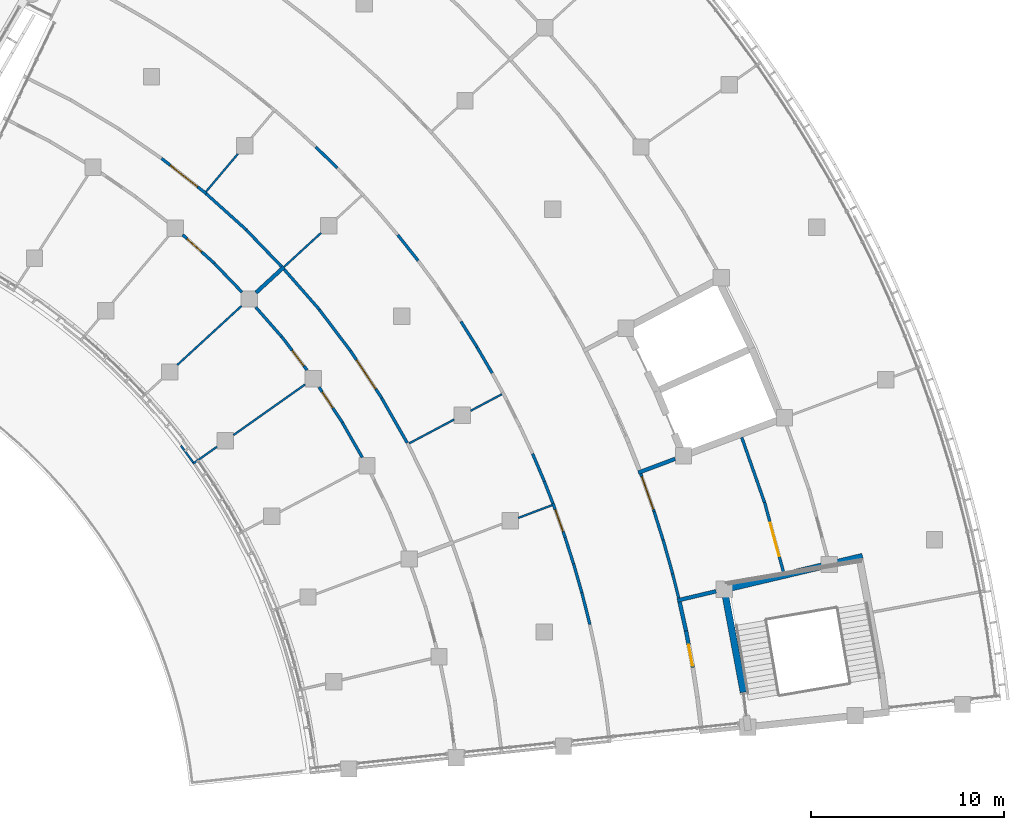
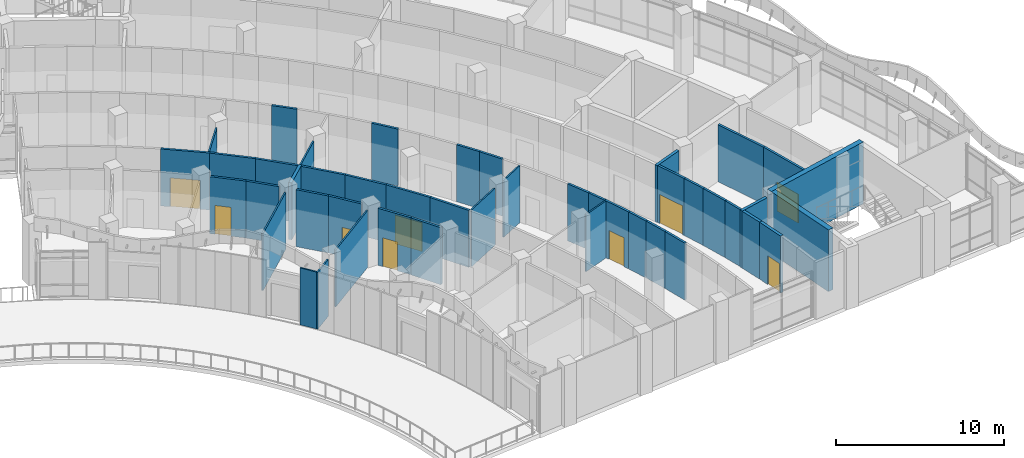
# One storey, part 77 of 136: 45 walls, 9 doors, 9 openings.
"""IFC4 building model written with IfcOpenShell, lengths in metres."""

from ifc_helpers import new_model, si_unit, direction, frame, frame_2d, origin, place, context, subcontext, project, spatial, rectangle, extrude, material, layer, layer_set, type_object, element, fill, save


model = new_model("IFC4")

# Units and contexts
model_context = context("Model", 3, precision=1e-05, world=origin(), true_north=direction((0.0, 1.0)))
body_context = subcontext(model_context, "Body", "Model", "MODEL_VIEW")
ifc_project = project(units=[si_unit("LENGTHUNIT", "METRE"), si_unit("AREAUNIT", "SQUARE_METRE"), si_unit("VOLUMEUNIT", "CUBIC_METRE"), si_unit("PLANEANGLEUNIT", "RADIAN"), si_unit("MASSUNIT", "GRAM", prefix="KILO")], contexts=[model_context])

# Site, building, storey
site_placement = place(None, origin())
site = spatial("IfcSite", under=ifc_project, at=site_placement, CompositionType="ELEMENT")
building_placement = place(site_placement, origin())
building = spatial("IfcBuilding", under=site, at=building_placement, Name="Bougainvillea Quay General Hospital", CompositionType="ELEMENT")
storey_placement = place(building_placement, frame((0.0, 0.0, 5.39990234375)))
storey = spatial("IfcBuildingStorey", under=building, at=storey_placement, Name="L01", CompositionType="ELEMENT", Elevation=5.39990234375)

# Walls
ifc_material_1 = material(Name="Gypsum board partition on steel studs", Category="steel")
ifc_layer_1 = layer(ifc_material_1, 0.10009765625)
ifc_layer_set_1 = layer_set([ifc_layer_1], Name="Gypsum board partition on steel studs")
wall_type_1 = type_object("IfcWallType", Name="Partition 100 Gypsum board partition EI 30", PredefinedType="PARTITIONING", material=ifc_layer_set_1)
wall_1_placement = place(storey_placement, frame((136.92431640625, 41.59521484375, 0.0), z_axis=(0.0, 0.0, 1.0), x_axis=(0.816643847366, 0.577141946629, 0.0)))
element("IfcWall", 1, at=wall_1_placement, inside=storey, type_object=wall_type_1, Name="Partition 100 mm EI 30", PredefinedType="PARTITIONING", context=body_context, shape_type="SweptSolid", body=[
    extrude(rectangle(XDim=1.52490234375, YDim=0.10009765625, at=frame_2d((0.762451171875, 0.0))), origin(), (0.0, 0.0, 1.0), 4.150146484375),
])
wall_2_placement = place(storey_placement, frame((139.0263671875, 43.080810546875, 0.0), z_axis=(0.0, 0.0, 1.0), x_axis=(0.816637661001, 0.577150700108, 0.0)))
element("IfcWall", 2, at=wall_2_placement, inside=storey, type_object=wall_type_1, Name="Partition 100 mm EI 30", PredefinedType="PARTITIONING", context=body_context, shape_type="SweptSolid", body=[
    extrude(rectangle(XDim=4.55078125, YDim=0.10009765625, at=frame_2d((2.275390625, 0.0))), origin(), (0.0, 0.0, 1.0), 4.150146484375),
])
wall_3_placement = place(storey_placement, frame((136.111328125, 46.71484375, 0.0), z_axis=(0.0, 0.0, 1.0), x_axis=(0.736475017651, 0.676464742892, 0.0)))
element("IfcWall", 3, at=wall_3_placement, inside=storey, type_object=wall_type_1, Name="Partition 100 mm EI 30", PredefinedType="PARTITIONING", context=body_context, shape_type="SweptSolid", body=[
    extrude(rectangle(XDim=4.52392578125, YDim=0.10009765625, at=frame_2d((2.261962890625, 0.0))), origin(), (0.0, 0.0, 1.0), 4.150146484375),
])
wall_4_placement = place(storey_placement, frame((153.791259765625, 38.78515625, 0.0), z_axis=(0.0, 0.0, 1.0), x_axis=(0.935884008534, 0.35230827775, 0.0)))
element("IfcWall", 4, at=wall_4_placement, inside=storey, type_object=wall_type_1, Name="Partition 100 mm EI 30", PredefinedType="PARTITIONING", context=body_context, shape_type="SweptSolid", body=[
    extrude(rectangle(XDim=1.873779296875, YDim=0.10009765625, at=frame_2d((0.93701171875, 0.0))), origin(), (0.0, 0.0, 1.0), 4.150146484375),
])
wall_5_placement = place(storey_placement, frame((141.64501953125, 51.797607421875, 0.0), z_axis=(0.0, 0.0, 1.0), x_axis=(0.73658314114, 0.676347008709, 0.0)))
element("IfcWall", 5, at=wall_5_placement, inside=storey, type_object=wall_type_1, Name="Partition 100 mm EI 30", PredefinedType="PARTITIONING", context=body_context, shape_type="SweptSolid", body=[
    extrude(rectangle(XDim=2.610107421875, YDim=0.10009765625, at=frame_2d((1.30517578125, 0.0))), origin(), (0.0, 0.0, 1.0), 4.150146484375),
])
wall_6_placement = place(storey_placement, frame((148.138671875, 42.65185546875, 0.0), z_axis=(0.0, 0.0, 1.0), x_axis=(0.883500310686, 0.468430572249, 0.0)))
element("IfcWall", 6, at=wall_6_placement, inside=storey, type_object=wall_type_1, Name="Partition 100 mm EI 30", PredefinedType="PARTITIONING", context=body_context, shape_type="SweptSolid", body=[
    extrude(rectangle(XDim=2.64453125, YDim=0.10009765625, at=frame_2d((1.322265625, 0.0))), origin(), (0.0, 0.0, 1.0), 4.150146484375),
])
wall_7_placement = place(storey_placement, frame((151.321044921875, 44.33935546875, 0.0), z_axis=(0.0, 0.0, 1.0), x_axis=(0.883507022745, 0.46841791251, 0.0)))
element("IfcWall", 7, at=wall_7_placement, inside=storey, type_object=wall_type_1, Name="Partition 100 mm EI 30", PredefinedType="PARTITIONING", context=body_context, shape_type="SweptSolid", body=[
    extrude(rectangle(XDim=1.84033203125, YDim=0.10009765625, at=frame_2d((0.920166015625, 0.0))), origin(), (0.0, 0.0, 1.0), 4.150146484375),
])
wall_8_placement = place(storey_placement, frame((137.60546875, 55.70361328125, 0.0), z_axis=(0.0, 0.0, 1.0), x_axis=(0.644432238292, 0.764661421971, 0.0)))
element("IfcWall", 8, at=wall_8_placement, inside=storey, type_object=wall_type_1, Name="Partition 100 mm EI 30", PredefinedType="PARTITIONING", context=body_context, shape_type="SweptSolid", body=[
    extrude(rectangle(XDim=2.560546875, YDim=0.10009765625, at=frame_2d((1.2802734375, 0.0))), origin(), (0.0, 0.0, 1.0), 4.150146484375),
])
wall_9_placement = place(storey_placement, frame((136.30615234375, 42.525634765625, 0.0), z_axis=(0.0, 0.0, 1.0), x_axis=(0.590022332041, -0.807386925639, 0.0)))
element("IfcWall", 9, at=wall_9_placement, inside=storey, type_object=wall_type_1, Name="Partition 100 mm EI 30", PredefinedType="PARTITIONING", context=body_context, shape_type="SweptSolid", body=[
    extrude(rectangle(XDim=1.06591796875, YDim=0.10009765625, at=frame_2d((0.532958984375, 0.0))), origin(), (0.0, 0.0, 1.0), 4.150146484375),
])

# Wall, opening, door
ifc_material_2 = material(Name="Gypsum board partition on steel studs, insulated", Category="steel")
ifc_layer_2 = layer(ifc_material_2, 0.14990234375)
ifc_layer_set_2 = layer_set([ifc_layer_2], Name="Gypsum board partition on steel studs, insulated")
wall_type_2 = type_object("IfcWallType", Name="Partition 150 Gypsum board partition EI 30", PredefinedType="PARTITIONING", material=ifc_layer_set_2)
wall_10_placement = place(storey_placement, frame((166.5673828125, 39.58642578125, 0.0), z_axis=(0.0, 0.0, 1.0), x_axis=(0.261225938755, -0.965277684877, 0.0)))
wall_10 = element("IfcWall", 10, at=wall_10_placement, inside=storey, type_object=wall_type_2, Name="Partition 150 mm EI 30", PredefinedType="PARTITIONING", context=body_context, shape_type="SweptSolid", body=[
    extrude(rectangle(XDim=3.725341796875, YDim=0.14990234375, at=frame_2d((1.86279296875, 0.0))), origin(), (0.0, 0.0, 1.0), 4.150146484375),
])
opening_1_placement = place(wall_10_placement, frame((1.089111328125, 0.0, 0.0)))
opening_1 = element("IfcOpeningElement", 11, at=opening_1_placement, cuts=wall_10, Name="Opening L01.231", PredefinedType="OPENING", context=body_context, shape_type="SweptSolid", body=[
    extrude(rectangle(XDim=1.800048828125, YDim=2.10009765625, at=frame_2d((0.89990234375, 1.050048828125))), frame((0.0, 0.0849609375, 0.0), z_axis=(0.0, -1.0, 0.0), x_axis=(1.0, 0.0, 0.0)), (0.0, 0.0, 1.0), 0.169921875),
])
ifc_material_3 = material(Name="Solid-core timber door leaves in steel frame", Category="steel")
door_type_1 = type_object("IfcDoorType", Name="Double leaf door 1800x2100", OperationType="DOUBLE_DOOR_SINGLE_SWING", PredefinedType="DOOR", material=ifc_material_3)
door_1_placement = place(opening_1_placement, origin())
door_1 = element("IfcDoor", 12, at=door_1_placement, inside=storey, type_object=door_type_1, Name="DT08 L01.231", OperationType="DOUBLE_DOOR_SINGLE_SWING", OverallHeight=2.10009765625, OverallWidth=1.800048828125, PredefinedType="DOOR", context=body_context, shape_type="SweptSolid", body=[
    extrude(rectangle(XDim=1.800048828125, YDim=2.10009765625, at=frame_2d((0.89990234375, 1.050048828125))), frame((0.0, 0.02490234375, 0.0), z_axis=(0.0, -1.0, 0.0), x_axis=(1.0, 0.0, 0.0)), (0.0, 0.0, 1.0), 0.050048828125),
])
fill(opening_1, door_1)

# Wall
wall_11_placement = place(storey_placement, frame((165.38037109375, 42.959716796875, 0.0), z_axis=(0.0, 0.0, 1.0), x_axis=(0.330508329073, -0.943803075018, 0.0)))
element("IfcWall", 13, at=wall_11_placement, inside=storey, type_object=wall_type_2, Name="Partition 150 mm EI 30", PredefinedType="PARTITIONING", context=body_context, shape_type="SweptSolid", body=[
    extrude(rectangle(XDim=3.5810546875, YDim=0.14990234375, at=frame_2d((1.79052734375, 0.0))), origin(), (0.0, 0.0, 1.0), 4.150146484375),
])

# Wall, opening, door
wall_12_placement = place(storey_placement, frame((145.089599609375, 47.45849609375, 0.0), z_axis=(0.0, 0.0, 1.0), x_axis=(0.551018151494, -0.834493257447, 0.0)))
wall_12 = element("IfcWall", 14, at=wall_12_placement, inside=storey, type_object=wall_type_2, Name="Partition 150 mm EI 30", PredefinedType="PARTITIONING", context=body_context, shape_type="SweptSolid", body=[
    extrude(rectangle(XDim=2.95751953125, YDim=0.14990234375, at=frame_2d((1.478759765625, 0.0))), origin(), (0.0, 0.0, 1.0), 4.150146484375),
])
opening_2_placement = place(wall_12_placement, frame((0.578857421875, 0.0, 0.0)))
opening_2 = element("IfcOpeningElement", 15, at=opening_2_placement, cuts=wall_12, Name="Opening L01.233", PredefinedType="OPENING", context=body_context, shape_type="SweptSolid", body=[
    extrude(rectangle(XDim=1.800048828125, YDim=2.10009765625, at=frame_2d((0.89990234375, 1.050048828125))), frame((0.0, 0.0849609375, 0.0), z_axis=(0.0, -1.0, 0.0), x_axis=(1.0, 0.0, 0.0)), (0.0, 0.0, 1.0), 0.169921875),
])
door_2_placement = place(opening_2_placement, frame((1.800048828125, 0.0, 0.0), z_axis=(0.0, 0.0, 1.0), x_axis=(-1.0, 0.0, 0.0)))
door_2 = element("IfcDoor", 16, at=door_2_placement, inside=storey, type_object=door_type_1, Name="DT08 L01.233", OperationType="DOUBLE_DOOR_SINGLE_SWING", OverallHeight=2.10009765625, OverallWidth=1.800048828125, PredefinedType="DOOR", context=body_context, shape_type="SweptSolid", body=[
    extrude(rectangle(XDim=1.800048828125, YDim=2.10009765625, at=frame_2d((0.89990234375, 1.050048828125))), frame((0.0, 0.02490234375, 0.0), z_axis=(0.0, -1.0, 0.0), x_axis=(1.0, 0.0, 0.0)), (0.0, 0.0, 1.0), 0.050048828125),
])
fill(opening_2, door_2)

wall_13_placement = place(storey_placement, frame((135.293212890625, 57.430419921875, 0.0), z_axis=(0.0, 0.0, 1.0), x_axis=(0.785039104315, -0.619446208073, 0.0)))
wall_13 = element("IfcWall", 17, at=wall_13_placement, inside=storey, type_object=wall_type_2, Name="Partition 150 mm EI 30", PredefinedType="PARTITIONING", context=body_context, shape_type="SweptSolid", body=[
    extrude(rectangle(XDim=2.95751953125, YDim=0.14990234375, at=frame_2d((1.478759765625, 0.0))), origin(), (0.0, 0.0, 1.0), 4.150146484375),
])
opening_3_placement = place(wall_13_placement, frame((0.57861328125, 0.0, 0.0)))
opening_3 = element("IfcOpeningElement", 18, at=opening_3_placement, cuts=wall_13, Name="Opening L01.232", PredefinedType="OPENING", context=body_context, shape_type="SweptSolid", body=[
    extrude(rectangle(XDim=1.800048828125, YDim=2.10009765625, at=frame_2d((0.89990234375, 1.050048828125))), frame((0.0, 0.0849609375, 0.0), z_axis=(0.0, -1.0, 0.0), x_axis=(1.0, 0.0, 0.0)), (0.0, 0.0, 1.0), 0.169921875),
])
door_3_placement = place(opening_3_placement, frame((1.800048828125, 0.0, 0.0), z_axis=(0.0, 0.0, 1.0), x_axis=(-1.0, 0.0, 0.0)))
door_3 = element("IfcDoor", 19, at=door_3_placement, inside=storey, type_object=door_type_1, Name="DT08 L01.232", OperationType="DOUBLE_DOOR_SINGLE_SWING", OverallHeight=2.10009765625, OverallWidth=1.800048828125, PredefinedType="DOOR", context=body_context, shape_type="SweptSolid", body=[
    extrude(rectangle(XDim=1.800048828125, YDim=2.10009765625, at=frame_2d((0.89990234375, 1.050048828125))), frame((0.0, 0.02490234375, 0.0), z_axis=(0.0, -1.0, 0.0), x_axis=(1.0, 0.0, 0.0)), (0.0, 0.0, 1.0), 0.050048828125),
])
fill(opening_3, door_3)

# Walls
wall_14_placement = place(storey_placement, frame((146.712890625, 44.991943359375, 0.0), z_axis=(0.0, 0.0, 1.0), x_axis=(0.49622768999, -0.868192420888, 0.0)))
element("IfcWall", 20, at=wall_14_placement, inside=storey, type_object=wall_type_2, Name="Partition 150 mm EI 30", PredefinedType="PARTITIONING", context=body_context, shape_type="SweptSolid", body=[
    extrude(rectangle(XDim=2.666015625, YDim=0.14990234375, at=frame_2d((1.3330078125, 0.0))), origin(), (0.0, 0.0, 1.0), 4.150146484375),
])
wall_15_placement = place(storey_placement, frame((141.656005859375, 51.66943359375, 0.0), z_axis=(0.0, 0.0, 1.0), x_axis=(0.659076402407, -0.752075990702, 0.0)))
element("IfcWall", 21, at=wall_15_placement, inside=storey, type_object=wall_type_2, Name="Partition 150 mm EI 30", PredefinedType="PARTITIONING", context=body_context, shape_type="SweptSolid", body=[
    extrude(rectangle(XDim=2.780029296875, YDim=0.14990234375, at=frame_2d((1.39013671875, 0.0))), origin(), (0.0, 0.0, 1.0), 4.150146484375),
])
wall_16_placement = place(storey_placement, frame((137.6083984375, 55.597900390625, 0.0), z_axis=(0.0, 0.0, 1.0), x_axis=(0.743501368773, -0.668734412628, 0.0)))
element("IfcWall", 22, at=wall_16_placement, inside=storey, type_object=wall_type_2, Name="Partition 150 mm EI 30", PredefinedType="PARTITIONING", context=body_context, shape_type="SweptSolid", body=[
    extrude(rectangle(XDim=2.8115234375, YDim=0.14990234375, at=frame_2d((1.40576171875, 0.0))), origin(), (0.0, 0.0, 1.0), 4.150146484375),
])
wall_17_placement = place(storey_placement, frame((143.481201171875, 49.579345703125, 0.0), z_axis=(0.0, 0.0, 1.0), x_axis=(0.602824021104, -0.797874175281, 0.0)))
element("IfcWall", 23, at=wall_17_placement, inside=storey, type_object=wall_type_2, Name="Partition 150 mm EI 30", PredefinedType="PARTITIONING", context=body_context, shape_type="SweptSolid", body=[
    extrude(rectangle(XDim=2.666015625, YDim=0.14990234375, at=frame_2d((1.3330078125, 0.0))), origin(), (0.0, 0.0, 1.0), 4.150146484375),
])
wall_18_placement = place(storey_placement, frame((139.69140625, 53.717529296875, 0.0), z_axis=(0.0, 0.0, 1.0), x_axis=(0.693447550136, -0.720507109757, 0.0)))
element("IfcWall", 24, at=wall_18_placement, inside=storey, type_object=wall_type_2, Name="Partition 150 mm EI 30", PredefinedType="PARTITIONING", context=body_context, shape_type="SweptSolid", body=[
    extrude(rectangle(XDim=2.634521484375, YDim=0.14990234375, at=frame_2d((1.3173828125, 0.0))), origin(), (0.0, 0.0, 1.0), 4.150146484375),
])

# Wall, opening, door
wall_19_placement = place(storey_placement, frame((136.39306640625, 53.464599609375, 0.0), z_axis=(0.0, 0.0, 1.0), x_axis=(0.743617683722, -0.668605070618, 0.0)))
wall_19 = element("IfcWall", 25, at=wall_19_placement, inside=storey, type_object=wall_type_2, Name="Partition 150 mm EI 30", PredefinedType="PARTITIONING", context=body_context, shape_type="SweptSolid", body=[
    extrude(rectangle(XDim=2.213134765625, YDim=0.14990234375, at=frame_2d((1.1064453125, 0.0))), origin(), (0.0, 0.0, 1.0), 4.150146484375),
])
opening_4_placement = place(wall_19_placement, frame((0.310791015625, 0.0, 0.0)))
opening_4 = element("IfcOpeningElement", 26, at=opening_4_placement, cuts=wall_19, Name="Opening L01.277", PredefinedType="OPENING", context=body_context, shape_type="SweptSolid", body=[
    extrude(rectangle(XDim=1.0, YDim=2.10009765625, at=frame_2d((0.5, 1.050048828125))), frame((0.0, 0.0849609375, 0.0), z_axis=(0.0, -1.0, 0.0), x_axis=(1.0, 0.0, 0.0)), (0.0, 0.0, 1.0), 0.169921875),
])
ifc_material_4 = material(Name="Solid-core timber door leaf in steel frame", Category="steel")
door_type_2 = type_object("IfcDoorType", Name="Single leaf door 1000x2100 FD30S", OperationType="NOTDEFINED", PredefinedType="DOOR", material=ifc_material_4)
door_4_placement = place(opening_4_placement, frame((1.0, 0.0, 0.0), z_axis=(0.0, 0.0, 1.0), x_axis=(-1.0, 0.0, 0.0)))
door_4 = element("IfcDoor", 27, at=door_4_placement, inside=storey, type_object=door_type_2, Name="DT15 L01.277", OperationType="SINGLE_SWING_RIGHT", OverallHeight=2.10009765625, OverallWidth=1.0, PredefinedType="DOOR", context=body_context, shape_type="SweptSolid", body=[
    extrude(rectangle(XDim=1.0, YDim=2.10009765625, at=frame_2d((0.5, 1.050048828125))), frame((0.0, 0.02490234375, 0.0), z_axis=(0.0, -1.0, 0.0), x_axis=(1.0, 0.0, 0.0)), (0.0, 0.0, 1.0), 0.050048828125),
])
fill(opening_4, door_4)

wall_20_placement = place(storey_placement, frame((141.52587890625, 48.187744140625, 0.0), z_axis=(0.0, 0.0, 1.0), x_axis=(0.60280129331, -0.797891346477, 0.0)))
wall_20 = element("IfcWall", 28, at=wall_20_placement, inside=storey, type_object=wall_type_2, Name="Partition 150 mm EI 30", PredefinedType="PARTITIONING", context=body_context, shape_type="SweptSolid", body=[
    extrude(rectangle(XDim=2.17236328125, YDim=0.14990234375, at=frame_2d((1.086181640625, 0.0))), origin(), (0.0, 0.0, 1.0), 4.150146484375),
])
opening_5_placement = place(wall_20_placement, frame((0.902099609375, 0.0, 0.0)))
opening_5 = element("IfcOpeningElement", 29, at=opening_5_placement, cuts=wall_20, Name="Opening L01.279", PredefinedType="OPENING", context=body_context, shape_type="SweptSolid", body=[
    extrude(rectangle(XDim=1.0, YDim=2.10009765625, at=frame_2d((0.5, 1.050048828125))), frame((0.0, 0.0849609375, 0.0), z_axis=(0.0, -1.0, 0.0), x_axis=(1.0, 0.0, 0.0)), (0.0, 0.0, 1.0), 0.169921875),
])
door_5_placement = place(opening_5_placement, frame((1.0, 0.0, 0.0), z_axis=(0.0, 0.0, 1.0), x_axis=(-1.0, 0.0, 0.0)))
door_5 = element("IfcDoor", 30, at=door_5_placement, inside=storey, type_object=door_type_2, Name="DT15 L01.279", OperationType="SINGLE_SWING_LEFT", OverallHeight=2.10009765625, OverallWidth=1.0, PredefinedType="DOOR", context=body_context, shape_type="SweptSolid", body=[
    extrude(rectangle(XDim=1.0, YDim=2.10009765625, at=frame_2d((0.5, 1.050048828125))), frame((0.0, 0.02490234375, 0.0), z_axis=(0.0, -1.0, 0.0), x_axis=(1.0, 0.0, 0.0)), (0.0, 0.0, 1.0), 0.050048828125),
])
fill(opening_5, door_5)

wall_21_placement = place(storey_placement, frame((143.461669921875, 45.569580078125, 0.0), z_axis=(0.0, 0.0, 1.0), x_axis=(0.550880835548, -0.834583911315, 0.0)))
wall_21 = element("IfcWall", 31, at=wall_21_placement, inside=storey, type_object=wall_type_2, Name="Partition 150 mm EI 30", PredefinedType="PARTITIONING", context=body_context, shape_type="SweptSolid", body=[
    extrude(rectangle(XDim=2.201171875, YDim=0.14990234375, at=frame_2d((1.1005859375, 0.0))), origin(), (0.0, 0.0, 1.0), 4.150146484375),
])
opening_6_placement = place(wall_21_placement, frame((0.29931640625, 0.0, 0.0)))
opening_6 = element("IfcOpeningElement", 32, at=opening_6_placement, cuts=wall_21, Name="Opening L01.280", PredefinedType="OPENING", context=body_context, shape_type="SweptSolid", body=[
    extrude(rectangle(XDim=1.0, YDim=2.10009765625, at=frame_2d((0.5, 1.050048828125))), frame((0.0, 0.0849609375, 0.0), z_axis=(0.0, -1.0, 0.0), x_axis=(1.0, 0.0, 0.0)), (0.0, 0.0, 1.0), 0.169921875),
])
door_6_placement = place(opening_6_placement, frame((1.0, 0.0, 0.0), z_axis=(0.0, 0.0, 1.0), x_axis=(-1.0, 0.0, 0.0)))
door_6 = element("IfcDoor", 33, at=door_6_placement, inside=storey, type_object=door_type_2, Name="DT15 L01.280", OperationType="SINGLE_SWING_RIGHT", OverallHeight=2.10009765625, OverallWidth=1.0, PredefinedType="DOOR", context=body_context, shape_type="SweptSolid", body=[
    extrude(rectangle(XDim=1.0, YDim=2.10009765625, at=frame_2d((0.5, 1.050048828125))), frame((0.0, 0.02490234375, 0.0), z_axis=(0.0, -1.0, 0.0), x_axis=(1.0, 0.0, 0.0)), (0.0, 0.0, 1.0), 0.050048828125),
])
fill(opening_6, door_6)

# Walls
wall_22_placement = place(storey_placement, frame((144.66796875, 43.73388671875, 0.0), z_axis=(0.0, 0.0, 1.0), x_axis=(0.496694973164, -0.867925171679, 0.0)))
element("IfcWall", 34, at=wall_22_placement, inside=storey, type_object=wall_type_2, Name="Partition 150 mm EI 30", PredefinedType="PARTITIONING", context=body_context, shape_type="SweptSolid", body=[
    extrude(rectangle(XDim=2.080078125, YDim=0.14990234375, at=frame_2d((1.0400390625, 0.0))), origin(), (0.0, 0.0, 1.0), 4.150146484375),
])
wall_23_placement = place(storey_placement, frame((140.18359375, 49.71044921875, 0.0), z_axis=(0.0, 0.0, 1.0), x_axis=(0.659209376091, -0.751959439381, 0.0)))
element("IfcWall", 35, at=wall_23_placement, inside=storey, type_object=wall_type_2, Name="Partition 150 mm EI 30", PredefinedType="PARTITIONING", context=body_context, shape_type="SweptSolid", body=[
    extrude(rectangle(XDim=2.03466796875, YDim=0.14990234375, at=frame_2d((1.017333984375, 0.0))), origin(), (0.0, 0.0, 1.0), 4.150146484375),
])
wall_24_placement = place(storey_placement, frame((138.031494140625, 51.984619140625, 0.0), z_axis=(0.0, 0.0, 1.0), x_axis=(0.693216793474, -0.7207291289, 0.0)))
element("IfcWall", 36, at=wall_24_placement, inside=storey, type_object=wall_type_2, Name="Partition 150 mm EI 30", PredefinedType="PARTITIONING", context=body_context, shape_type="SweptSolid", body=[
    extrude(rectangle(XDim=2.076416015625, YDim=0.14990234375, at=frame_2d((1.0380859375, 0.0))), origin(), (0.0, 0.0, 1.0), 4.150146484375),
])

# Wall, opening, door
wall_25_placement = place(storey_placement, frame((160.146240234375, 41.068115234375, 0.0), z_axis=(0.0, 0.0, 1.0), x_axis=(0.334170983673, -0.942512468708, 0.0)))
wall_25 = element("IfcWall", 37, at=wall_25_placement, inside=storey, type_object=wall_type_2, Name="Partition 150 mm EI 30", PredefinedType="PARTITIONING", context=body_context, shape_type="SweptSolid", body=[
    extrude(rectangle(XDim=2.079345703125, YDim=0.14990234375, at=frame_2d((1.03955078125, 0.0))), origin(), (0.0, 0.0, 1.0), 4.150146484375),
])
opening_7_placement = place(wall_25_placement, frame((0.15087890625, 0.0, 0.0)))
opening_7 = element("IfcOpeningElement", 38, at=opening_7_placement, cuts=wall_25, Name="Opening L01.245", PredefinedType="OPENING", context=body_context, shape_type="SweptSolid", body=[
    extrude(rectangle(XDim=1.800048828125, YDim=2.10009765625, at=frame_2d((0.89990234375, 1.050048828125))), frame((0.0, 0.0849609375, 0.0), z_axis=(0.0, -1.0, 0.0), x_axis=(1.0, 0.0, 0.0)), (0.0, 0.0, 1.0), 0.169921875),
])
door_7_placement = place(opening_7_placement, frame((1.800048828125, 0.0, 0.0), z_axis=(0.0, 0.0, 1.0), x_axis=(-1.0, 0.0, 0.0)))
door_7 = element("IfcDoor", 39, at=door_7_placement, inside=storey, type_object=door_type_1, Name="DT08 L01.245", OperationType="DOUBLE_DOOR_SINGLE_SWING", OverallHeight=2.10009765625, OverallWidth=1.800048828125, PredefinedType="DOOR", context=body_context, shape_type="SweptSolid", body=[
    extrude(rectangle(XDim=1.800048828125, YDim=2.10009765625, at=frame_2d((0.89990234375, 1.050048828125))), frame((0.0, 0.02490234375, 0.0), z_axis=(0.0, -1.0, 0.0), x_axis=(1.0, 0.0, 0.0)), (0.0, 0.0, 1.0), 0.050048828125),
])
fill(opening_7, door_7)

wall_26_placement = place(storey_placement, frame((155.5908203125, 39.54248046875, 0.0), z_axis=(0.0, 0.0, 1.0), x_axis=(0.336874131091, -0.941549690564, 0.0)))
wall_26 = element("IfcWall", 40, at=wall_26_placement, inside=storey, type_object=wall_type_2, Name="Partition 150 mm EI 30", PredefinedType="PARTITIONING", context=body_context, shape_type="SweptSolid", body=[
    extrude(rectangle(XDim=1.89794921875, YDim=0.14990234375, at=frame_2d((0.948974609375, 0.0))), origin(), (0.0, 0.0, 1.0), 4.150146484375),
])
opening_8_placement = place(wall_26_placement, frame((0.34912109375, 0.0, 0.0)))
opening_8 = element("IfcOpeningElement", 41, at=opening_8_placement, cuts=wall_26, Name="Opening L01.248", PredefinedType="OPENING", context=body_context, shape_type="SweptSolid", body=[
    extrude(rectangle(XDim=1.199951171875, YDim=2.10009765625, at=frame_2d((0.60009765625, 1.050048828125))), frame((0.0, 0.0849609375, 0.0), z_axis=(0.0, -1.0, 0.0), x_axis=(1.0, 0.0, 0.0)), (0.0, 0.0, 1.0), 0.169921875),
])
door_type_3 = type_object("IfcDoorType", Name="Single leaf door 1200x2100", OperationType="NOTDEFINED", PredefinedType="DOOR", material=ifc_material_4)
door_8_placement = place(opening_8_placement, origin())
door_8 = element("IfcDoor", 42, at=door_8_placement, inside=storey, type_object=door_type_3, Name="DT13 L01.248", OperationType="SINGLE_SWING_RIGHT", OverallHeight=2.10009765625, OverallWidth=1.199951171875, PredefinedType="DOOR", context=body_context, shape_type="SweptSolid", body=[
    extrude(rectangle(XDim=1.199951171875, YDim=2.10009765625, at=frame_2d((0.60009765625, 1.050048828125))), frame((0.0, 0.02490234375, 0.0), z_axis=(0.0, -1.0, 0.0), x_axis=(1.0, 0.0, 0.0)), (0.0, 0.0, 1.0), 0.050048828125),
])
fill(opening_8, door_8)

# Walls
wall_27_placement = place(storey_placement, frame((161.302490234375, 37.647216796875, 0.0), z_axis=(0.0, 0.0, 1.0), x_axis=(0.271536076628, -0.962428261789, 0.0)))
element("IfcWall", 43, at=wall_27_placement, inside=storey, type_object=wall_type_2, Name="Partition 150 mm EI 30", PredefinedType="PARTITIONING", context=body_context, shape_type="SweptSolid", body=[
    extrude(rectangle(XDim=1.833251953125, YDim=0.14990234375, at=frame_2d((0.91650390625, 0.0))), origin(), (0.0, 0.0, 1.0), 4.150146484375),
])
wall_28_placement = place(storey_placement, frame((160.837890625, 39.10986328125, 0.0), z_axis=(0.0, 0.0, 1.0), x_axis=(0.301321411033, -0.953522630698, 0.0)))
element("IfcWall", 44, at=wall_28_placement, inside=storey, type_object=wall_type_2, Name="Partition 150 mm EI 30", PredefinedType="PARTITIONING", context=body_context, shape_type="SweptSolid", body=[
    extrude(rectangle(XDim=1.537109375, YDim=0.14990234375, at=frame_2d((0.7685546875, 0.0))), origin(), (0.0, 0.0, 1.0), 4.150146484375),
])
wall_29_placement = place(storey_placement, frame((150.823486328125, 48.96484375, 0.0), z_axis=(0.0, 0.0, 1.0), x_axis=(0.531963557529, -0.846767248694, 0.0)))
element("IfcWall", 45, at=wall_29_placement, inside=storey, type_object=wall_type_2, Name="Partition 150 mm EI 30", PredefinedType="PARTITIONING", context=body_context, shape_type="SweptSolid", body=[
    extrude(rectangle(XDim=1.562744140625, YDim=0.14990234375, at=frame_2d((0.78125, 0.0))), origin(), (0.0, 0.0, 1.0), 4.150146484375),
])
wall_30_placement = place(storey_placement, frame((147.54150390625, 53.4619140625, 0.0), z_axis=(0.0, 0.0, 1.0), x_axis=(0.620542012859, -0.784173201708, 0.0)))
element("IfcWall", 46, at=wall_30_placement, inside=storey, type_object=wall_type_2, Name="Partition 150 mm EI 30", PredefinedType="PARTITIONING", context=body_context, shape_type="SweptSolid", body=[
    extrude(rectangle(XDim=1.7099609375, YDim=0.14990234375, at=frame_2d((0.85498046875, 0.0))), origin(), (0.0, 0.0, 1.0), 4.150146484375),
])
wall_31_placement = place(storey_placement, frame((143.29248046875, 58.0224609375, 0.0), z_axis=(0.0, 0.0, 1.0), x_axis=(0.714415993139, -0.699721222164, 0.0)))
element("IfcWall", 47, at=wall_31_placement, inside=storey, type_object=wall_type_2, Name="Partition 150 mm EI 30", PredefinedType="PARTITIONING", context=body_context, shape_type="SweptSolid", body=[
    extrude(rectangle(XDim=1.561767578125, YDim=0.14990234375, at=frame_2d((0.78076171875, 0.0))), origin(), (0.0, 0.0, 1.0), 4.150146484375),
])
for number, where, z_axis, x_axis, name in (
    (48, (151.651611328125, 47.64208984375, 0.0), (0.0, 0.0, 1.0), (0.504852542481, -0.863205601436, 0.0), "Partition 150 mm EI 30"),
    (49, (154.533447265625, 42.114990234375, 0.0), (0.0, 0.0, 1.0), (0.39261681237, -0.9197021467, 0.0), "Partition 150 mm EI 30"),
):
    element("IfcWall", number, at=place(storey_placement, frame(where, z_axis=z_axis, x_axis=x_axis)), inside=storey, type_object=wall_type_2, Name=name, PredefinedType="PARTITIONING", context=body_context, shape_type="SweptSolid", body=[
        extrude(rectangle(XDim=1.5615234375, YDim=0.14990234375, at=frame_2d((0.78076171875, 0.0))), origin(), (0.0, 0.0, 1.0), 4.150146484375),
    ])
wall_32_placement = place(storey_placement, frame((157.088623046875, 34.914794921875, 0.0), z_axis=(0.0, 0.0, 1.0), x_axis=(0.243846269547, -0.969813898038, 0.0)))
element("IfcWall", 50, at=wall_32_placement, inside=storey, type_object=wall_type_2, Name="Partition 150 mm EI 30", PredefinedType="PARTITIONING", context=body_context, shape_type="SweptSolid", body=[
    extrude(rectangle(XDim=1.708984375, YDim=0.14990234375, at=frame_2d((0.8544921875, 0.0))), origin(), (0.0, 0.0, 1.0), 4.150146484375),
])
wall_33_placement = place(storey_placement, frame((156.658447265625, 36.4130859375, 0.0), z_axis=(0.0, 0.0, 1.0), x_axis=(0.27445261009, -0.961600626463, 0.0)))
element("IfcWall", 51, at=wall_33_placement, inside=storey, type_object=wall_type_2, Name="Partition 150 mm EI 30", PredefinedType="PARTITIONING", context=body_context, shape_type="SweptSolid", body=[
    extrude(rectangle(XDim=1.561279296875, YDim=0.14990234375, at=frame_2d((0.78076171875, 0.0))), origin(), (0.0, 0.0, 1.0), 4.150146484375),
])
wall_34_placement = place(storey_placement, frame((156.22705078125, 37.7568359375, 0.0), z_axis=(0.0, 0.0, 1.0), x_axis=(0.304180257637, -0.95261449226, 0.0)))
element("IfcWall", 52, at=wall_34_placement, inside=storey, type_object=wall_type_2, Name="Partition 150 mm EI 30", PredefinedType="PARTITIONING", context=body_context, shape_type="SweptSolid", body=[
    extrude(rectangle(XDim=1.413330078125, YDim=0.14990234375, at=frame_2d((0.70654296875, 0.0))), origin(), (0.0, 0.0, 1.0), 4.150146484375),
])
wall_35_placement = place(storey_placement, frame((161.797607421875, 35.88427734375, 0.0), z_axis=(0.0, 0.0, 1.0), x_axis=(0.243023571224, -0.970020383203, 0.0)))
element("IfcWall", 53, at=wall_35_placement, inside=storey, type_object=wall_type_2, Name="Partition 150 mm EI 30", PredefinedType="PARTITIONING", context=body_context, shape_type="SweptSolid", body=[
    extrude(rectangle(XDim=1.294921875, YDim=0.14990234375, at=frame_2d((0.6474609375, 0.0))), origin(), (0.0, 0.0, 1.0), 4.150146484375),
])
wall_36_placement = place(storey_placement, frame((155.1435546875, 40.68017578125, 0.0), z_axis=(0.0, 0.0, 1.0), x_axis=(0.364264029016, -0.931295719503, 0.0)))
element("IfcWall", 54, at=wall_36_placement, inside=storey, type_object=wall_type_2, Name="Partition 150 mm EI 30", PredefinedType="PARTITIONING", context=body_context, shape_type="SweptSolid", body=[
    extrude(rectangle(XDim=1.224609375, YDim=0.14990234375, at=frame_2d((0.6123046875, 0.0))), origin(), (0.0, 0.0, 1.0), 4.150146484375),
])
ifc_material_5 = material(Name="Fire-rated autoclaved aerated block wall, plastered")
ifc_layer_3 = layer(ifc_material_5, 0.199951171875)
ifc_layer_set_3 = layer_set([ifc_layer_3], Name="Fire-rated autoclaved aerated block wall, plastered")
wall_type_3 = type_object("IfcWallType", Name="Partition 200 Fire-rated autoclaved aerated block wall EI 120", PredefinedType="SOLIDWALL", material=ifc_layer_set_3)
wall_37_placement = place(storey_placement, frame((162.039794921875, 34.506103515625, 0.0), z_axis=(0.0, 0.0, 1.0), x_axis=(0.973117236519, 0.230310321066, 0.0)))
element("IfcWall", 55, at=wall_37_placement, inside=storey, type_object=wall_type_3, Name="Partition 200 mm EI 120", PredefinedType="SOLIDWALL", context=body_context, shape_type="SweptSolid", body=[
    extrude(rectangle(XDim=2.06591796875, YDim=0.199951171875, at=frame_2d((1.032958984375, 0.0))), origin(), (0.0, 0.0, 1.0), 4.150146484375),
])
wall_38_placement = place(storey_placement, frame((160.018310546875, 41.1298828125, 0.0), z_axis=(0.0, 0.0, 1.0), x_axis=(0.935835444075, 0.352437259115, 0.0)))
element("IfcWall", 56, at=wall_38_placement, inside=storey, type_object=wall_type_3, Name="Partition 200 mm EI 120", PredefinedType="SOLIDWALL", context=body_context, shape_type="SweptSolid", body=[
    extrude(rectangle(XDim=2.035888671875, YDim=0.199951171875, at=frame_2d((1.01806640625, 0.0))), origin(), (0.0, 0.0, 1.0), 4.150146484375),
])
wall_39_placement = place(storey_placement, frame((140.1962890625, 50.466796875, 0.0), z_axis=(0.0, 0.0, 1.0), x_axis=(0.736519787736, 0.676415997943, 0.0)))
element("IfcWall", 57, at=wall_39_placement, inside=storey, type_object=wall_type_3, Name="Partition 200 mm EI 120", PredefinedType="SOLIDWALL", context=body_context, shape_type="SweptSolid", body=[
    extrude(rectangle(XDim=1.966064453125, YDim=0.199951171875, at=frame_2d((0.98291015625, 0.0))), origin(), (0.0, 0.0, 1.0), 4.150146484375),
])

# Wall, opening, door
wall_40_placement = place(storey_placement, frame((162.49169921875, 32.932373046875, 0.0), z_axis=(0.0, 0.0, 1.0), x_axis=(0.183778259652, -0.982967726469, 0.0)))
wall_40 = element("IfcWall", 58, at=wall_40_placement, inside=storey, type_object=wall_type_3, Name="Partition 200 mm EI 120", PredefinedType="SOLIDWALL", context=body_context, shape_type="SweptSolid", body=[
    extrude(rectangle(XDim=1.935546875, YDim=0.199951171875, at=frame_2d((0.9677734375, 0.0))), origin(), (0.0, 0.0, 1.0), 4.150146484375),
])
opening_9_placement = place(wall_40_placement, frame((0.735595703125, 0.0, 0.0)))
opening_9 = element("IfcOpeningElement", 59, at=opening_9_placement, cuts=wall_40, Name="Opening L01.320", PredefinedType="OPENING", context=body_context, shape_type="SweptSolid", body=[
    extrude(rectangle(XDim=1.10009765625, YDim=2.10009765625, at=frame_2d((0.550048828125, 1.050048828125))), frame((0.0, 0.10986328125, 0.0), z_axis=(0.0, -1.0, 0.0), x_axis=(1.0, 0.0, 0.0)), (0.0, 0.0, 1.0), 0.219970703125),
])
ifc_material_6 = material(Name="Steel fire door leaf in steel frame", Category="steel")
door_type_4 = type_object("IfcDoorType", Name="Steel single leaf door 1100x2100 FD60", OperationType="NOTDEFINED", PredefinedType="DOOR", material=ifc_material_6)
door_9_placement = place(opening_9_placement, origin())
door_9 = element("IfcDoor", 60, at=door_9_placement, inside=storey, type_object=door_type_4, Name="DT04 L01.320", OperationType="SINGLE_SWING_RIGHT", OverallHeight=2.10009765625, OverallWidth=1.10009765625, PredefinedType="DOOR", context=body_context, shape_type="SweptSolid", body=[
    extrude(rectangle(XDim=1.10009765625, YDim=2.10009765625, at=frame_2d((0.550048828125, 1.050048828125))), frame((0.0, 0.02490234375, 0.0), z_axis=(0.0, -1.0, 0.0), x_axis=(1.0, 0.0, 0.0)), (0.0, 0.0, 1.0), 0.050048828125),
])
fill(opening_9, door_9)

# Walls
wall_41_placement = place(storey_placement, frame((162.15869140625, 34.4296875, 0.0), z_axis=(0.0, 0.0, 1.0), x_axis=(0.215079958229, -0.976596442533, 0.0)))
element("IfcWall", 61, at=wall_41_placement, inside=storey, type_object=wall_type_3, Name="Partition 200 mm EI 120", PredefinedType="SOLIDWALL", context=body_context, shape_type="SweptSolid", body=[
    extrude(rectangle(XDim=1.536865234375, YDim=0.199951171875, at=frame_2d((0.7685546875, 0.0))), origin(), (0.0, 0.0, 1.0), 4.150146484375),
])
ifc_material_7 = material(Name="Concrete C40", Category="concrete")
ifc_layer_4 = layer(ifc_material_7, 0.35009765625)
ifc_layer_set_4 = layer_set([ifc_layer_4], Name="Concrete C40")
wall_type_4 = type_object("IfcWallType", Name="RC SHEAR WALL 350 C40", PredefinedType="SHEAR", material=ifc_layer_set_4)
wall_42_placement = place(storey_placement, frame((164.302734375, 35.041748046875, 0.0), z_axis=(0.0, 0.0, 1.0), x_axis=(0.973093454504, 0.230410782737, 0.0)))
element("IfcWall", 62, at=wall_42_placement, inside=storey, type_object=wall_type_4, Name="Shear wall L01", PredefinedType="SHEAR", context=body_context, shape_type="SweptSolid", body=[
    extrude(rectangle(XDim=7.549560546875, YDim=0.35009765625, at=frame_2d((3.77490234375, 0.0))), origin(), (0.0, 0.0, 1.0), 4.5),
])
wall_43_placement = place(storey_placement, frame((165.468994140625, 29.74560546875, 0.0), z_axis=(0.0, 0.0, 1.0), x_axis=(-0.183471964923, 0.98302494276, 0.0)))
element("IfcWall", 63, at=wall_43_placement, inside=storey, type_object=wall_type_4, Name="Shear wall L01", PredefinedType="SHEAR", context=body_context, shape_type="SweptSolid", body=[
    extrude(rectangle(XDim=5.25341796875, YDim=0.35009765625, at=frame_2d((2.626708984375, 0.0))), origin(), (0.0, 0.0, 1.0), 4.5),
])

save(model, "model.ifc")
